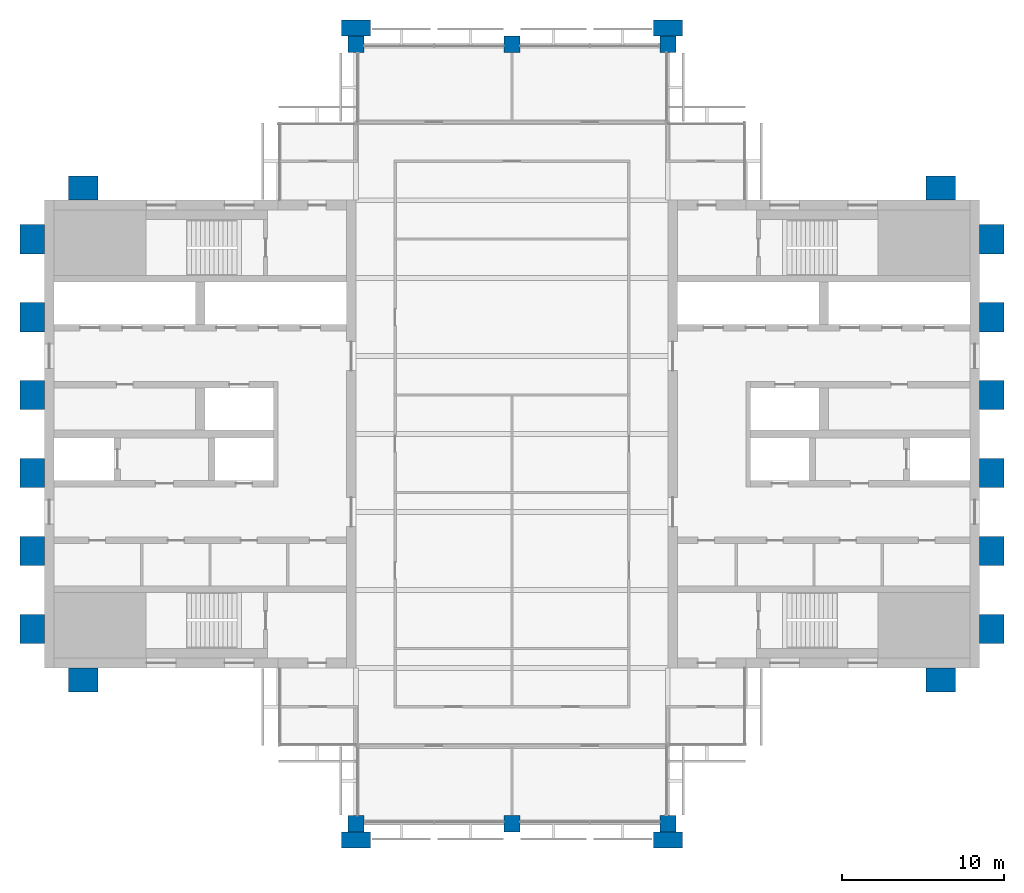
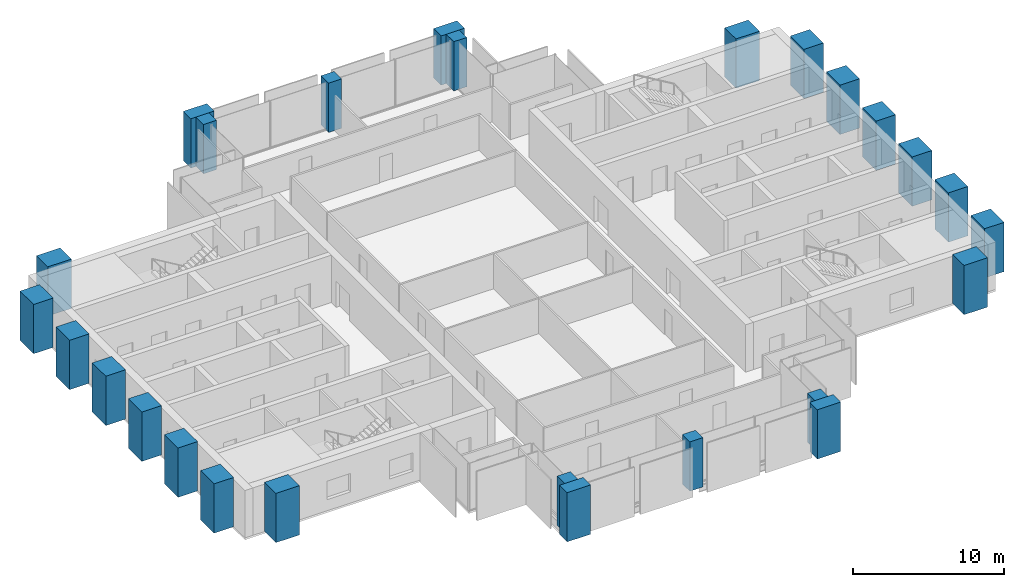
# One storey, part 1 of 12: 26 columns.
"""IFC4 building model written with IfcOpenShell, lengths in metres."""

from ifc_helpers import new_model, si_unit, direction, frame, origin, origin_2d, place, context, subcontext, project, spatial, rectangle, extrude, material, material_profile, profile_set, type_object, element, save


model = new_model("IFC4")

# Units and contexts
model_context = context("Model", 3, precision=1e-05, world=origin(), true_north=direction((0.0, 1.0)))
body_context = subcontext(model_context, "Body", "Model", "MODEL_VIEW")
ifc_project = project(units=[si_unit("LENGTHUNIT", "METRE"), si_unit("AREAUNIT", "SQUARE_METRE"), si_unit("VOLUMEUNIT", "CUBIC_METRE"), si_unit("PLANEANGLEUNIT", "RADIAN"), si_unit("MASSUNIT", "GRAM", prefix="KILO")], contexts=[model_context])

# Site, building, storey
site_placement = place(None, origin())
site = spatial("IfcSite", under=ifc_project, at=site_placement, CompositionType="ELEMENT")
building_placement = place(site_placement, origin())
building = spatial("IfcBuilding", under=site, at=building_placement, Name="Baori Bourse Tower", CompositionType="ELEMENT")
storey_placement = place(building_placement, frame((0.0, 0.0, 310.300048828125)))
storey = spatial("IfcBuildingStorey", under=building, at=storey_placement, Name="L68", CompositionType="ELEMENT", Elevation=310.300048828125)

# Columns
ifc_material_1 = material(Name="Concrete f'c 60 MPa", Category="concrete")
ifc_material_profile_1 = material_profile(ifc_material_1, rectangle(XDim=1.800048828125, YDim=1.0, at=origin_2d()), Name="RC 1800x1000")
ifc_profile_set_1 = profile_set([ifc_material_profile_1], Name="Concrete f'c 60 MPa")
column_type_1 = type_object("IfcColumnType", Name="FN3 Brick pilaster 1800x1000", PredefinedType="PILASTER", material=ifc_profile_set_1)
for number, where, z_axis, x_axis, name in (
    (1, (19.199951171875, -1.0, 0.0), (0.0, 0.0, 1.0), (1.0, 0.0, 0.0), "Brick pilaster L68 17"),
    (2, (38.39990234375, -1.0, 0.0), (0.0, 0.0, 1.0), (1.0, 0.0, 0.0), "Brick pilaster L68 18"),
    (3, (19.199951171875, 49.0, 0.0), (0.0, 0.0, 1.0), (1.0, 0.0, 0.0), "Brick pilaster L68 19"),
    (4, (38.39990234375, 49.0, 0.0), (0.0, 0.0, 1.0), (1.0, 0.0, 0.0), "Brick pilaster L68 20"),
):
    element("IfcColumn", number, at=place(storey_placement, frame(where, z_axis=z_axis, x_axis=x_axis)), inside=storey, type_object=column_type_1, Name=name, PredefinedType="PILASTER", context=body_context, shape_type="SweptSolid", body=[
        extrude(rectangle(XDim=1.800048828125, YDim=1.0, at=origin_2d()), origin(), (0.0, 0.0, 1.0), 4.0),
    ])
ifc_material_2 = material(Name="Concrete f'c 60 MPa", Category="concrete")
ifc_material_profile_2 = material_profile(ifc_material_2, rectangle(XDim=1.800048828125, YDim=1.5, at=origin_2d()), Name="RC 1800x1500")
ifc_profile_set_2 = profile_set([ifc_material_profile_2], Name="Concrete f'c 60 MPa")
column_type_2 = type_object("IfcColumnType", Name="FN4 Brick flank pilaster 1800x1500", PredefinedType="PILASTER", material=ifc_profile_set_2)
for number, where, z_axis, x_axis, name in (
    (5, (55.199951171875, 8.85009765625, 0.0), (0.0, 0.0, 1.0), (1.0, 0.0, 0.0), "Brick pilaster L68 1"),
    (6, (58.35009765625, 12.0, 0.0), (0.0, 0.0, 1.0), (0.0, 1.0, 0.0), "Brick pilaster L68 2"),
    (7, (58.35009765625, 16.800048828125, 0.0), (0.0, 0.0, 1.0), (0.0, 1.0, 0.0), "Brick pilaster L68 3"),
    (8, (58.35009765625, 21.60009765625, 0.0), (0.0, 0.0, 1.0), (0.0, 1.0, 0.0), "Brick pilaster L68 4"),
    (9, (58.35009765625, 26.39990234375, 0.0), (0.0, 0.0, 1.0), (0.0, 1.0, 0.0), "Brick pilaster L68 5"),
    (10, (58.35009765625, 31.199951171875, 0.0), (0.0, 0.0, 1.0), (0.0, 1.0, 0.0), "Brick pilaster L68 6"),
    (11, (58.35009765625, 36.0, 0.0), (0.0, 0.0, 1.0), (0.0, 1.0, 0.0), "Brick pilaster L68 7"),
    (12, (55.199951171875, 39.14990234375, 0.0), (0.0, 0.0, 1.0), (1.0, 0.0, 0.0), "Brick pilaster L68 8"),
    (13, (2.39990234375, 39.14990234375, 0.0), (0.0, 0.0, 1.0), (1.0, 0.0, 0.0), "Brick pilaster L68 9"),
    (14, (-0.75, 12.0, 0.0), (0.0, 0.0, 1.0), (0.0, 1.0, 0.0), "Brick pilaster L68 10"),
    (15, (-0.75, 16.800048828125, 0.0), (0.0, 0.0, 1.0), (0.0, 1.0, 0.0), "Brick pilaster L68 11"),
    (16, (-0.75, 21.60009765625, 0.0), (0.0, 0.0, 1.0), (0.0, 1.0, 0.0), "Brick pilaster L68 12"),
    (17, (-0.75, 26.39990234375, 0.0), (0.0, 0.0, 1.0), (0.0, 1.0, 0.0), "Brick pilaster L68 13"),
    (18, (-0.75, 31.199951171875, 0.0), (0.0, 0.0, 1.0), (0.0, 1.0, 0.0), "Brick pilaster L68 14"),
    (19, (-0.75, 36.0, 0.0), (0.0, 0.0, 1.0), (0.0, 1.0, 0.0), "Brick pilaster L68 15"),
    (20, (2.39990234375, 8.85009765625, 0.0), (0.0, 0.0, 1.0), (1.0, 0.0, 0.0), "Brick pilaster L68 16"),
):
    element("IfcColumn", number, at=place(storey_placement, frame(where, z_axis=z_axis, x_axis=x_axis)), inside=storey, type_object=column_type_2, Name=name, PredefinedType="PILASTER", context=body_context, shape_type="SweptSolid", body=[
        extrude(rectangle(XDim=1.800048828125, YDim=1.5, at=origin_2d()), origin(), (0.0, 0.0, 1.0), 4.0),
    ])
ifc_material_3 = material(Name="Concrete f'c 40 MPa", Category="concrete")
ifc_material_profile_3 = material_profile(ifc_material_3, rectangle(XDim=1.0, YDim=1.0, at=origin_2d()), Name="RC 1000x1000")
ifc_profile_set_3 = profile_set([ifc_material_profile_3], Name="Concrete f'c 40 MPa")
column_type_3 = type_object("IfcColumnType", Name="Perimeter column 40 RC 1000x1000", PredefinedType="COLUMN", material=ifc_profile_set_3)
for number, where, z_axis, x_axis, name in (
    (21, (19.199951171875, 0.0, 0.0), (0.0, 0.0, 1.0), (1.0, 0.0, 0.0), "Perimeter column L68"),
    (22, (28.800048828125, 0.0, 0.0), (0.0, 0.0, 1.0), (1.0, 0.0, 0.0), "Perimeter column L68"),
    (23, (38.39990234375, 0.0, 0.0), (0.0, 0.0, 1.0), (1.0, 0.0, 0.0), "Perimeter column L68"),
    (24, (19.199951171875, 48.0, 0.0), (0.0, 0.0, 1.0), (1.0, 0.0, 0.0), "Perimeter column L68"),
    (25, (28.800048828125, 48.0, 0.0), (0.0, 0.0, 1.0), (1.0, 0.0, 0.0), "Perimeter column L68"),
    (26, (38.39990234375, 48.0, 0.0), (0.0, 0.0, 1.0), (1.0, 0.0, 0.0), "Perimeter column L68"),
):
    element("IfcColumn", number, at=place(storey_placement, frame(where, z_axis=z_axis, x_axis=x_axis)), inside=storey, type_object=column_type_3, Name=name, PredefinedType="COLUMN", context=body_context, shape_type="SweptSolid", body=[
        extrude(rectangle(XDim=1.0, YDim=1.0, at=origin_2d()), origin(), (0.0, 0.0, 1.0), 4.0),
    ])

save(model, "model.ifc")
